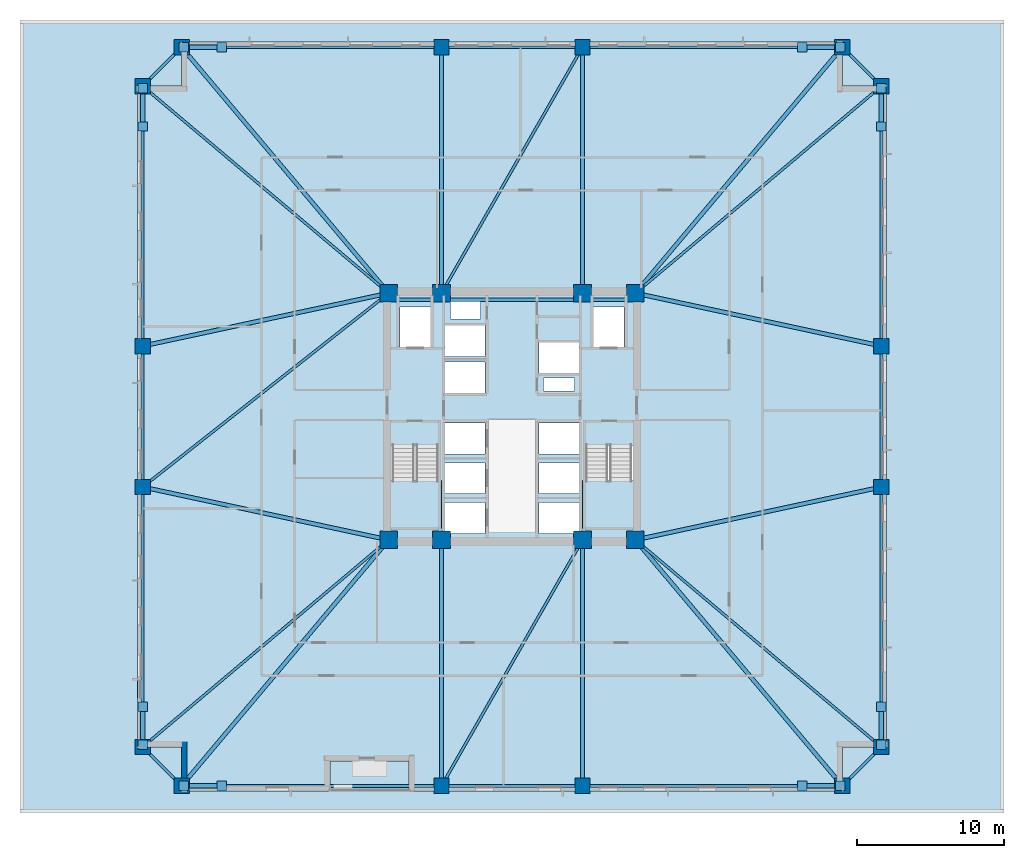
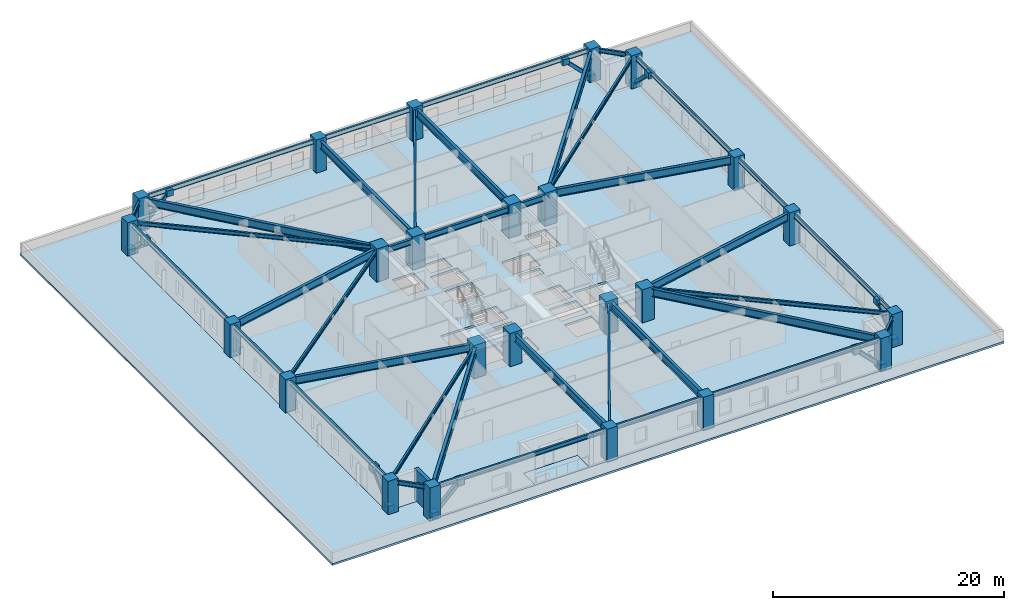
# One storey, part 1 of 12: 38 beams, 24 columns, 16 plates, 8 members, 5 slabs, 1 wall, 2 elements without a shape of their own.
"""IFC4 building model written with IfcOpenShell, lengths in metres."""

from ifc_helpers import new_model, si_unit, direction, frame, frame_2d, origin, origin_2d, place, context, subcontext, project, spatial, polyline, rectangle, hollow_rectangle, i_section, outline, extrude, material, layer, layer_set, material_profile, profile_set, type_object, element, aggregate, save


model = new_model("IFC4")

# Units and contexts
model_context = context("Model", 3, precision=1e-05, world=origin(), true_north=direction((0.0, 1.0)))
body_context = subcontext(model_context, "Body", "Model", "MODEL_VIEW")
ifc_project = project(units=[si_unit("LENGTHUNIT", "METRE"), si_unit("AREAUNIT", "SQUARE_METRE"), si_unit("VOLUMEUNIT", "CUBIC_METRE"), si_unit("PLANEANGLEUNIT", "RADIAN"), si_unit("MASSUNIT", "GRAM", prefix="KILO")], contexts=[model_context])

# Site, building, storey
site_placement = place(None, origin())
site = spatial("IfcSite", under=ifc_project, at=site_placement, CompositionType="ELEMENT")
building_placement = place(site_placement, origin())
building = spatial("IfcBuilding", under=site, at=building_placement, Name="Cairnveth Concourse Tower", CompositionType="ELEMENT")
storey_placement = place(building_placement, frame((0.0, 0.0, 23.5)))
storey = spatial("IfcBuildingStorey", under=building, at=storey_placement, Name="L05", CompositionType="ELEMENT", Elevation=23.5)

# Columns
ifc_material_1 = material(Name="Concrete N80 (80 MPa)", Category="concrete")
ifc_material_profile_1 = material_profile(ifc_material_1, rectangle(XDim=1.199951171875, YDim=1.199951171875, at=origin_2d()), Name="RC-COL-1200x1200")
ifc_profile_set_1 = profile_set([ifc_material_profile_1], Name="Concrete N80 (80 MPa)")
column_type_1 = type_object("IfcColumnType", Name="CORE COLUMN 1200X1200", PredefinedType="COLUMN", material=ifc_profile_set_1)
for number, where, z_axis, x_axis, name in (
    (1, (43.60009765625, 30.60009765625, 0.0), (0.0, 0.0, 1.0), (1.0, 0.0, 0.0), "Column CC1 L05"),
    (2, (47.199951171875, 30.60009765625, 0.0), (0.0, 0.0, 1.0), (1.0, 0.0, 0.0), "Column CC2 L05"),
    (3, (56.800048828125, 30.60009765625, 0.0), (0.0, 0.0, 1.0), (1.0, 0.0, 0.0), "Column CC3 L05"),
    (4, (60.39990234375, 30.60009765625, 0.0), (0.0, 0.0, 1.0), (1.0, 0.0, 0.0), "Column CC4 L05"),
    (5, (43.60009765625, 47.39990234375, 0.0), (0.0, 0.0, 1.0), (1.0, 0.0, 0.0), "Column CC5 L05"),
    (6, (47.199951171875, 47.39990234375, 0.0), (0.0, 0.0, 1.0), (1.0, 0.0, 0.0), "Column CC6 L05"),
    (7, (56.800048828125, 47.39990234375, 0.0), (0.0, 0.0, 1.0), (1.0, 0.0, 0.0), "Column CC7 L05"),
    (8, (60.39990234375, 47.39990234375, 0.0), (0.0, 0.0, 1.0), (1.0, 0.0, 0.0), "Column CC8 L05"),
):
    element("IfcColumn", number, at=place(storey_placement, frame(where, z_axis=z_axis, x_axis=x_axis)), inside=storey, type_object=column_type_1, Name=name, PredefinedType="COLUMN", context=body_context, shape_type="SweptSolid", body=[
        extrude(rectangle(XDim=1.199951171875, YDim=1.199951171875, at=origin_2d()), origin(), (0.0, 0.0, 1.0), 3.5),
    ])
ifc_material_2 = material(Name="Concrete N65 (65 MPa)", Category="concrete")
ifc_material_profile_2 = material_profile(ifc_material_2, rectangle(XDim=1.050048828125, YDim=1.050048828125, at=origin_2d()), Name="RC-COL-1050x1050")
ifc_profile_set_2 = profile_set([ifc_material_profile_2], Name="Concrete N65 (65 MPa)")
column_type_2 = type_object("IfcColumnType", Name="PERIMETER PIER COLUMN 1050X1050", PredefinedType="COLUMN", material=ifc_profile_set_2)
for number, where, z_axis, x_axis, name in (
    (9, (29.5, 13.85009765625, 0.0), (0.0, 0.0, 1.0), (1.0, 0.0, 0.0), "Column P-S1 L05"),
    (10, (47.199951171875, 13.85009765625, 0.0), (0.0, 0.0, 1.0), (1.0, 0.0, 0.0), "Column P-S2 L05"),
    (11, (56.800048828125, 13.85009765625, 0.0), (0.0, 0.0, 1.0), (1.0, 0.0, 0.0), "Column P-S3 L05"),
    (12, (74.5, 13.85009765625, 0.0), (0.0, 0.0, 1.0), (1.0, 0.0, 0.0), "Column P-S4 L05"),
    (13, (77.14990234375, 16.5, 0.0), (0.0, 0.0, 1.0), (0.0, 1.0, 0.0), "Column P-E1 L05"),
    (14, (77.14990234375, 34.199951171875, 0.0), (0.0, 0.0, 1.0), (0.0, 1.0, 0.0), "Column P-E2 L05"),
    (15, (77.14990234375, 43.800048828125, 0.0), (0.0, 0.0, 1.0), (0.0, 1.0, 0.0), "Column P-E3 L05"),
    (16, (77.14990234375, 61.5, 0.0), (0.0, 0.0, 1.0), (0.0, 1.0, 0.0), "Column P-E4 L05"),
    (17, (74.5, 64.14990234375, 0.0), (0.0, 0.0, 1.0), (1.0, 0.0, 0.0), "Column P-N1 L05"),
    (18, (56.800048828125, 64.14990234375, 0.0), (0.0, 0.0, 1.0), (1.0, 0.0, 0.0), "Column P-N2 L05"),
    (19, (47.199951171875, 64.14990234375, 0.0), (0.0, 0.0, 1.0), (1.0, 0.0, 0.0), "Column P-N3 L05"),
    (20, (29.5, 64.14990234375, 0.0), (0.0, 0.0, 1.0), (1.0, 0.0, 0.0), "Column P-N4 L05"),
    (21, (26.85009765625, 61.5, 0.0), (0.0, 0.0, 1.0), (0.0, 1.0, 0.0), "Column P-W1 L05"),
    (22, (26.85009765625, 43.800048828125, 0.0), (0.0, 0.0, 1.0), (0.0, 1.0, 0.0), "Column P-W2 L05"),
    (23, (26.85009765625, 34.199951171875, 0.0), (0.0, 0.0, 1.0), (0.0, 1.0, 0.0), "Column P-W3 L05"),
    (24, (26.85009765625, 16.5, 0.0), (0.0, 0.0, 1.0), (0.0, 1.0, 0.0), "Column P-W4 L05"),
):
    element("IfcColumn", number, at=place(storey_placement, frame(where, z_axis=z_axis, x_axis=x_axis)), inside=storey, type_object=column_type_2, Name=name, PredefinedType="COLUMN", context=body_context, shape_type="SweptSolid", body=[
        extrude(rectangle(XDim=1.050048828125, YDim=1.050048828125, at=origin_2d()), origin(), (0.0, 0.0, 1.0), 3.5),
    ])

# Beams
ifc_material_3 = material(Name="Steel Grade 350", Category="steel")
ifc_material_profile_3 = material_profile(ifc_material_3, i_section(OverallWidth=0.22802734375, OverallDepth=0.60693359375, WebThickness=0.01123046875, FlangeThickness=0.017333984375, FilletRadius=0.013916015625, at=origin_2d()), Name="610UB113")
ifc_profile_set_3 = profile_set([ifc_material_profile_3], Name="Steel Grade 350")
beam_type_1 = type_object("IfcBeamType", Name="CORE TIE BEAM 610UB113", PredefinedType="T_BEAM", material=ifc_profile_set_3)
for number, where, z_axis, x_axis, name in (
    (25, (43.60009765625, 46.949951171875, 2.9765625), (1.0, 0.0, 0.0), (0.0, 1.0, 0.0), "Beam CT-N1 L05"),
    (26, (56.800048828125, 46.949951171875, 2.9765625), (1.0, 0.0, 0.0), (0.0, 1.0, 0.0), "Beam CT-N3 L05"),
):
    element("IfcBeam", number, at=place(storey_placement, frame(where, z_axis=z_axis, x_axis=x_axis)), inside=storey, type_object=beam_type_1, Name=name, PredefinedType="T_BEAM", context=body_context, shape_type="SweptSolid", body=[
        extrude(i_section(OverallWidth=0.22802734375, OverallDepth=0.60693359375, WebThickness=0.01123046875, FlangeThickness=0.017333984375, FilletRadius=0.013916015625, at=origin_2d()), origin(), (0.0, 0.0, 1.0), 3.599853515625),
    ])
beam_1_placement = place(storey_placement, frame((47.199951171875, 46.949951171875, 2.9765625), z_axis=(1.0, 0.0, 0.0), x_axis=(0.0, 1.0, 0.0)))
element("IfcBeam", 27, at=beam_1_placement, inside=storey, type_object=beam_type_1, Name="Beam CT-N2 L05", PredefinedType="T_BEAM", context=body_context, shape_type="SweptSolid", body=[
    extrude(i_section(OverallWidth=0.22802734375, OverallDepth=0.60693359375, WebThickness=0.01123046875, FlangeThickness=0.017333984375, FilletRadius=0.013916015625, at=origin_2d()), origin(), (0.0, 0.0, 1.0), 9.60009765625),
])
ifc_material_profile_4 = material_profile(ifc_material_3, i_section(OverallWidth=0.177978515625, OverallDepth=0.406005859375, WebThickness=0.0078125, FlangeThickness=0.0126953125, FilletRadius=0.010986328125, at=origin_2d()), Name="410UB59.7")
ifc_profile_set_4 = profile_set([ifc_material_profile_4], Name="Steel Grade 350")
beam_type_2 = type_object("IfcBeamType", Name="ZONE 1 FLOOR JOIST 410UB59.7", PredefinedType="JOIST", material=ifc_profile_set_4)
for number, where, z_axis, x_axis, name in (
    (28, (26.85009765625, 16.5, 3.076904296875), (0.765027427674, 0.643997697905, 0.0), (-0.643997697905, 0.765027427674, 0.0), "Beam FJ-CSW2 L05"),
    (29, (77.14990234375, 16.5, 3.076904296875), (-0.765027427674, 0.643997697905, 0.0), (-0.643997697905, -0.765027427674, 0.0), "Beam FJ-CSE2 L05"),
    (30, (77.14990234375, 61.5, 3.076904296875), (-0.765027427674, -0.643997697905, 0.0), (0.643997697905, -0.765027427674, 0.0), "Beam FJ-CNE2 L05"),
    (31, (26.85009765625, 61.5, 3.076904296875), (0.765027427674, -0.643997697905, 0.0), (0.643997697905, 0.765027427674, 0.0), "Beam FJ-CNW2 L05"),
):
    element("IfcBeam", number, at=place(storey_placement, frame(where, z_axis=z_axis, x_axis=x_axis)), inside=storey, type_object=beam_type_2, Name=name, PredefinedType="JOIST", context=body_context, shape_type="SweptSolid", body=[
        extrude(i_section(OverallWidth=0.177978515625, OverallDepth=0.406005859375, WebThickness=0.0078125, FlangeThickness=0.0126953125, FilletRadius=0.010986328125, at=origin_2d()), origin(), (0.0, 0.0, 1.0), 21.89453125),
    ])
for number, where, z_axis, x_axis, name in (
    (32, (47.199951171875, 13.85009765625, 3.076904296875), (0.497257970706, 0.86760273776, 0.0), (-0.86760273776, 0.497257970706, 0.0), "Beam FJ-S-M1 L05"),
    (33, (47.199951171875, 47.39990234375, 3.076904296875), (0.497257970706, 0.86760273776, 0.0), (-0.86760273776, 0.497257970706, 0.0), "Beam FJ-N-M1 L05"),
):
    element("IfcBeam", number, at=place(storey_placement, frame(where, z_axis=z_axis, x_axis=x_axis)), inside=storey, type_object=beam_type_2, Name=name, PredefinedType="JOIST", context=body_context, shape_type="SweptSolid", body=[
        extrude(i_section(OverallWidth=0.177978515625, OverallDepth=0.406005859375, WebThickness=0.0078125, FlangeThickness=0.0126953125, FilletRadius=0.010986328125, at=origin_2d()), origin(), (0.0, 0.0, 1.0), 19.30615234375),
    ])
beam_2_placement = place(storey_placement, frame((26.85009765625, 34.199951171875, 3.076904296875), z_axis=(0.785423705995, 0.618958481694, 0.0), x_axis=(-0.618958481694, 0.785423705995, 0.0)))
element("IfcBeam", 34, at=beam_2_placement, inside=storey, type_object=beam_type_2, Name="Beam FJ-W-M1 L05", PredefinedType="JOIST", context=body_context, shape_type="SweptSolid", body=[
    extrude(i_section(OverallWidth=0.177978515625, OverallDepth=0.406005859375, WebThickness=0.0078125, FlangeThickness=0.0126953125, FilletRadius=0.010986328125, at=origin_2d()), origin(), (0.0, 0.0, 1.0), 21.326171875),
])

# Members
ifc_material_4 = material(Name="Steel C350L0 (350 MPa)", Category="steel")
ifc_material_profile_5 = material_profile(ifc_material_4, hollow_rectangle(XDim=0.35009765625, YDim=0.35009765625, WallThickness=0.01611328125, InnerFilletRadius=0.01611328125, OuterFilletRadius=0.031982421875, at=origin_2d()), Name="350x350x16.0SHS")
ifc_profile_set_5 = profile_set([ifc_material_profile_5], Name="Steel C350L0 (350 MPa)")
member_type = type_object("IfcMemberType", Name="ZONE 1 PIER BRACE 350X350X16SHS", PredefinedType="BRACE", material=ifc_profile_set_5)
for number, where, z_axis, x_axis, name in (
    (35, (29.64990234375, 13.85009765625, 0.25), (0.709834195787, 0.0, 0.704368805735), (0.0, 1.0, 0.0), "Structural Brace PB-S1 L05"),
    (36, (74.35009765625, 13.85009765625, 0.25), (-0.709834195787, 0.0, 0.704368805735), (0.0, -1.0, 0.0), "Structural Brace PB-S2 L05"),
    (37, (29.64990234375, 64.14990234375, 0.25), (0.709834195787, 0.0, 0.704368805735), (0.0, 1.0, 0.0), "Structural Brace PB-N1 L05"),
    (38, (74.35009765625, 64.14990234375, 0.25), (-0.709834195787, 0.0, 0.704368805735), (0.0, -1.0, 0.0), "Structural Brace PB-N2 L05"),
    (39, (26.85009765625, 16.64990234375, 0.25), (0.0, 0.709834195787, 0.704368805735), (-1.0, 0.0, 0.0), "Structural Brace PB-W1 L05"),
    (40, (26.85009765625, 61.35009765625, 0.25), (0.0, -0.709834195787, 0.704368805735), (1.0, 0.0, 0.0), "Structural Brace PB-W2 L05"),
    (41, (77.14990234375, 16.64990234375, 0.25), (0.0, 0.709834195787, 0.704368805735), (-1.0, 0.0, 0.0), "Structural Brace PB-E1 L05"),
    (42, (77.14990234375, 61.35009765625, 0.25), (0.0, -0.709834195787, 0.704368805735), (1.0, 0.0, 0.0), "Structural Brace PB-E2 L05"),
):
    element("IfcMember", number, at=place(storey_placement, frame(where, z_axis=z_axis, x_axis=x_axis)), inside=storey, type_object=member_type, Name=name, PredefinedType="BRACE", context=body_context, shape_type="SweptSolid", body=[
        extrude(hollow_rectangle(XDim=0.35009765625, YDim=0.35009765625, WallThickness=0.01611328125, InnerFilletRadius=0.01611328125, OuterFilletRadius=0.031982421875, at=origin_2d()), origin(), (0.0, 0.0, 1.0), 3.6630859375),
    ])

# Beams
ifc_material_profile_6 = material_profile(ifc_material_3, i_section(OverallWidth=0.27490234375, OverallDepth=0.81591796875, WebThickness=0.011962890625, FlangeThickness=0.028076171875, at=origin_2d()), Name="800WB192")
ifc_profile_set_6 = profile_set([ifc_material_profile_6], Name="Steel Grade 350")
beam_type_3 = type_object("IfcBeamType", Name="ZONE 1 RADIAL GIRDER 800WB192", PredefinedType="BEAM", material=ifc_profile_set_6)
for number, where, z_axis, x_axis, name in (
    (43, (47.199951171875, 13.85009765625, 2.8720703125), (0.0, 1.0, 0.0), (-1.0, 0.0, 0.0), "Beam RG-S1 L05"),
    (44, (56.800048828125, 13.85009765625, 2.8720703125), (0.0, 1.0, 0.0), (-1.0, 0.0, 0.0), "Beam RG-S2 L05"),
    (45, (47.199951171875, 47.39990234375, 2.8720703125), (0.0, 1.0, 0.0), (-1.0, 0.0, 0.0), "Beam RG-N1 L05"),
    (46, (56.800048828125, 47.39990234375, 2.8720703125), (0.0, 1.0, 0.0), (-1.0, 0.0, 0.0), "Beam RG-N2 L05"),
):
    element("IfcBeam", number, at=place(storey_placement, frame(where, z_axis=z_axis, x_axis=x_axis)), inside=storey, type_object=beam_type_3, Name=name, PredefinedType="BEAM", context=body_context, shape_type="SweptSolid", body=[
        extrude(i_section(OverallWidth=0.27490234375, OverallDepth=0.81591796875, WebThickness=0.011962890625, FlangeThickness=0.028076171875, at=origin_2d()), origin(), (0.0, 0.0, 1.0), 16.75),
    ])
for number, where, z_axis, x_axis, name in (
    (47, (26.85009765625, 34.199951171875, 2.8720703125), (0.977675861524, -0.210118799239, 0.0), (0.210118799239, 0.977675861524, 0.0), "Beam RG-W1 L05"),
    (48, (26.85009765625, 43.800048828125, 2.8720703125), (0.977675861524, 0.210118799239, 0.0), (-0.210118799239, 0.977675861524, 0.0), "Beam RG-W2 L05"),
    (49, (60.39990234375, 30.60009765625, 2.8720703125), (0.977675861524, 0.210118799239, 0.0), (-0.210118799239, 0.977675861524, 0.0), "Beam RG-E1 L05"),
    (50, (60.39990234375, 47.39990234375, 2.8720703125), (0.977675861524, -0.210118799239, 0.0), (0.210118799239, 0.977675861524, 0.0), "Beam RG-E2 L05"),
):
    element("IfcBeam", number, at=place(storey_placement, frame(where, z_axis=z_axis, x_axis=x_axis)), inside=storey, type_object=beam_type_3, Name=name, PredefinedType="BEAM", context=body_context, shape_type="SweptSolid", body=[
        extrude(i_section(OverallWidth=0.27490234375, OverallDepth=0.81591796875, WebThickness=0.011962890625, FlangeThickness=0.028076171875, at=origin_2d()), origin(), (0.0, 0.0, 1.0), 17.132568359375),
    ])
for number, where, z_axis, x_axis, name in (
    (51, (29.5, 13.85009765625, 2.8720703125), (0.643997697905, 0.765027427674, 0.0), (-0.765027427674, 0.643997697905, 0.0), "Beam RG-CSW L05"),
    (52, (74.5, 13.85009765625, 2.8720703125), (-0.643997697905, 0.765027427674, 0.0), (-0.765027427674, -0.643997697905, 0.0), "Beam RG-CSE L05"),
    (53, (74.5, 64.14990234375, 2.8720703125), (-0.643997697905, -0.765027427674, 0.0), (0.765027427674, -0.643997697905, 0.0), "Beam RG-CNE L05"),
    (54, (29.5, 64.14990234375, 2.8720703125), (0.643997697905, -0.765027427674, 0.0), (0.765027427674, 0.643997697905, 0.0), "Beam RG-CNW L05"),
):
    element("IfcBeam", number, at=place(storey_placement, frame(where, z_axis=z_axis, x_axis=x_axis)), inside=storey, type_object=beam_type_3, Name=name, PredefinedType="BEAM", context=body_context, shape_type="SweptSolid", body=[
        extrude(i_section(OverallWidth=0.27490234375, OverallDepth=0.81591796875, WebThickness=0.011962890625, FlangeThickness=0.028076171875, at=origin_2d()), origin(), (0.0, 0.0, 1.0), 21.89453125),
    ])
ifc_material_profile_7 = material_profile(ifc_material_3, i_section(OverallWidth=0.19091796875, OverallDepth=0.4599609375, WebThickness=0.010009765625, FlangeThickness=0.01611328125, FilletRadius=0.010986328125, at=origin_2d()), Name="460UB82.1")
ifc_profile_set_7 = profile_set([ifc_material_profile_7], Name="Steel Grade 350")
beam_type_4 = type_object("IfcBeamType", Name="ZONE 1 SPANDREL BEAM 460UB82.1", PredefinedType="SPANDREL", material=ifc_profile_set_7)
beam_3_placement = place(storey_placement, frame((29.5, 13.85009765625, 3.050048828125), z_axis=(1.0, 0.0, 0.0), x_axis=(0.0, 1.0, 0.0)))
element("IfcBeam", 55, at=beam_3_placement, inside=storey, type_object=beam_type_4, Name="Beam SP-S1 L05", PredefinedType="SPANDREL", context=body_context, shape_type="SweptSolid", body=[
    extrude(i_section(OverallWidth=0.19091796875, OverallDepth=0.4599609375, WebThickness=0.010009765625, FlangeThickness=0.01611328125, FilletRadius=0.010986328125, at=origin_2d()), origin(), (0.0, 0.0, 1.0), 17.699951171875),
])
beam_4_placement = place(storey_placement, frame((47.199951171875, 13.85009765625, 3.050048828125), z_axis=(1.0, 0.0, 0.0), x_axis=(0.0, 1.0, 0.0)))
element("IfcBeam", 56, at=beam_4_placement, inside=storey, type_object=beam_type_4, Name="Beam SP-S2 L05", PredefinedType="SPANDREL", context=body_context, shape_type="SweptSolid", body=[
    extrude(i_section(OverallWidth=0.19091796875, OverallDepth=0.4599609375, WebThickness=0.010009765625, FlangeThickness=0.01611328125, FilletRadius=0.010986328125, at=origin_2d()), origin(), (0.0, 0.0, 1.0), 9.60009765625),
])
for number, where, z_axis, x_axis, name in (
    (57, (56.800048828125, 13.85009765625, 3.050048828125), (1.0, 0.0, 0.0), (0.0, 1.0, 0.0), "Beam SP-S3 L05"),
    (58, (29.5, 64.14990234375, 3.050048828125), (1.0, 0.0, 0.0), (0.0, 1.0, 0.0), "Beam SP-N1 L05"),
):
    element("IfcBeam", number, at=place(storey_placement, frame(where, z_axis=z_axis, x_axis=x_axis)), inside=storey, type_object=beam_type_4, Name=name, PredefinedType="SPANDREL", context=body_context, shape_type="SweptSolid", body=[
        extrude(i_section(OverallWidth=0.19091796875, OverallDepth=0.4599609375, WebThickness=0.010009765625, FlangeThickness=0.01611328125, FilletRadius=0.010986328125, at=origin_2d()), origin(), (0.0, 0.0, 1.0), 17.699951171875),
    ])
beam_5_placement = place(storey_placement, frame((47.199951171875, 64.14990234375, 3.050048828125), z_axis=(1.0, 0.0, 0.0), x_axis=(0.0, 1.0, 0.0)))
element("IfcBeam", 59, at=beam_5_placement, inside=storey, type_object=beam_type_4, Name="Beam SP-N2 L05", PredefinedType="SPANDREL", context=body_context, shape_type="SweptSolid", body=[
    extrude(i_section(OverallWidth=0.19091796875, OverallDepth=0.4599609375, WebThickness=0.010009765625, FlangeThickness=0.01611328125, FilletRadius=0.010986328125, at=origin_2d()), origin(), (0.0, 0.0, 1.0), 9.60009765625),
])
for number, where, z_axis, x_axis, name in (
    (60, (56.800048828125, 64.14990234375, 3.050048828125), (1.0, 0.0, 0.0), (0.0, 1.0, 0.0), "Beam SP-N3 L05"),
    (61, (26.85009765625, 16.5, 3.050048828125), (0.0, 1.0, 0.0), (-1.0, 0.0, 0.0), "Beam SP-W1 L05"),
):
    element("IfcBeam", number, at=place(storey_placement, frame(where, z_axis=z_axis, x_axis=x_axis)), inside=storey, type_object=beam_type_4, Name=name, PredefinedType="SPANDREL", context=body_context, shape_type="SweptSolid", body=[
        extrude(i_section(OverallWidth=0.19091796875, OverallDepth=0.4599609375, WebThickness=0.010009765625, FlangeThickness=0.01611328125, FilletRadius=0.010986328125, at=origin_2d()), origin(), (0.0, 0.0, 1.0), 17.699951171875),
    ])
beam_6_placement = place(storey_placement, frame((26.85009765625, 34.199951171875, 3.050048828125), z_axis=(0.0, 1.0, 0.0), x_axis=(-1.0, 0.0, 0.0)))
element("IfcBeam", 62, at=beam_6_placement, inside=storey, type_object=beam_type_4, Name="Beam SP-W2 L05", PredefinedType="SPANDREL", context=body_context, shape_type="SweptSolid", body=[
    extrude(i_section(OverallWidth=0.19091796875, OverallDepth=0.4599609375, WebThickness=0.010009765625, FlangeThickness=0.01611328125, FilletRadius=0.010986328125, at=origin_2d()), origin(), (0.0, 0.0, 1.0), 9.60009765625),
])
for number, where, z_axis, x_axis, name in (
    (63, (26.85009765625, 43.800048828125, 3.050048828125), (0.0, 1.0, 0.0), (-1.0, 0.0, 0.0), "Beam SP-W3 L05"),
    (64, (77.14990234375, 16.5, 3.050048828125), (0.0, 1.0, 0.0), (-1.0, 0.0, 0.0), "Beam SP-E1 L05"),
):
    element("IfcBeam", number, at=place(storey_placement, frame(where, z_axis=z_axis, x_axis=x_axis)), inside=storey, type_object=beam_type_4, Name=name, PredefinedType="SPANDREL", context=body_context, shape_type="SweptSolid", body=[
        extrude(i_section(OverallWidth=0.19091796875, OverallDepth=0.4599609375, WebThickness=0.010009765625, FlangeThickness=0.01611328125, FilletRadius=0.010986328125, at=origin_2d()), origin(), (0.0, 0.0, 1.0), 17.699951171875),
    ])
beam_7_placement = place(storey_placement, frame((77.14990234375, 34.199951171875, 3.050048828125), z_axis=(0.0, 1.0, 0.0), x_axis=(-1.0, 0.0, 0.0)))
element("IfcBeam", 65, at=beam_7_placement, inside=storey, type_object=beam_type_4, Name="Beam SP-E2 L05", PredefinedType="SPANDREL", context=body_context, shape_type="SweptSolid", body=[
    extrude(i_section(OverallWidth=0.19091796875, OverallDepth=0.4599609375, WebThickness=0.010009765625, FlangeThickness=0.01611328125, FilletRadius=0.010986328125, at=origin_2d()), origin(), (0.0, 0.0, 1.0), 9.60009765625),
])
beam_8_placement = place(storey_placement, frame((77.14990234375, 43.800048828125, 3.050048828125), z_axis=(0.0, 1.0, 0.0), x_axis=(-1.0, 0.0, 0.0)))
element("IfcBeam", 66, at=beam_8_placement, inside=storey, type_object=beam_type_4, Name="Beam SP-E3 L05", PredefinedType="SPANDREL", context=body_context, shape_type="SweptSolid", body=[
    extrude(i_section(OverallWidth=0.19091796875, OverallDepth=0.4599609375, WebThickness=0.010009765625, FlangeThickness=0.01611328125, FilletRadius=0.010986328125, at=origin_2d()), origin(), (0.0, 0.0, 1.0), 17.699951171875),
])
for number, where, z_axis, x_axis, name in (
    (67, (26.85009765625, 16.5, 3.050048828125), (0.707106781187, -0.707106781187, 0.0), (0.707106781187, 0.707106781187, 0.0), "Beam SP-SW L05"),
    (68, (74.5, 13.85009765625, 3.050048828125), (0.707106781187, 0.707106781187, 0.0), (-0.707106781187, 0.707106781187, 0.0), "Beam SP-SE L05"),
    (69, (74.5, 64.14990234375, 3.050048828125), (0.707106781187, -0.707106781187, 0.0), (0.707106781187, 0.707106781187, 0.0), "Beam SP-NE L05"),
    (70, (26.85009765625, 61.5, 3.050048828125), (0.707106781187, 0.707106781187, 0.0), (-0.707106781187, 0.707106781187, 0.0), "Beam SP-NW L05"),
):
    element("IfcBeam", number, at=place(storey_placement, frame(where, z_axis=z_axis, x_axis=x_axis)), inside=storey, type_object=beam_type_4, Name=name, PredefinedType="SPANDREL", context=body_context, shape_type="SweptSolid", body=[
        extrude(i_section(OverallWidth=0.19091796875, OverallDepth=0.4599609375, WebThickness=0.010009765625, FlangeThickness=0.01611328125, FilletRadius=0.010986328125, at=origin_2d()), origin(), (0.0, 0.0, 1.0), 3.74755859375),
    ])

# Slab
ifc_material_5 = material(Name="Concrete N50 (50 MPa)", Category="concrete")
ifc_layer_1 = layer(ifc_material_5, 0.219970703125)
ifc_layer_set_1 = layer_set([ifc_layer_1], Name="Concrete N50 (50 MPa)")
slab_type_1 = type_object("IfcSlabType", Name="LOWER TOWER COMPOSITE SLAB 220", PredefinedType="FLOOR", material=ifc_layer_set_1)
slab_1_placement = place(storey_placement, frame((0.0, 0.0, -0.219970703125)))
element("IfcSlab", 71, at=slab_1_placement, inside=storey, type_object=slab_type_1, Name="Tower Floor Slab L05", PredefinedType="FLOOR", context=body_context, shape_type="SweptSolid", body=[
    extrude(outline(polyline([(39.60009765625, 13.5), (39.60009765625, 15.550048828125), (45.0, 15.550048828125), (45.0, 13.5), (74.5, 13.5), (74.5, 16.5), (77.5, 16.5), (77.5, 61.5), (74.5, 61.5), (74.5, 64.5), (29.5, 64.5), (29.5, 61.5), (26.5, 61.5), (26.5, 16.5), (29.5, 16.5), (29.5, 13.5), (39.60009765625, 13.5)]), holes=[polyline([(43.760009765625, 31.360107421875), (47.06005859375, 31.360107421875), (47.06005859375, 37.0400390625), (43.760009765625, 37.0400390625), (43.760009765625, 31.360107421875)]), polyline([(56.93994140625, 31.360107421875), (60.239990234375, 31.360107421875), (60.239990234375, 37.0400390625), (56.93994140625, 37.0400390625), (56.93994140625, 31.360107421875)]), polyline([(44.3701171875, 43.75), (46.469970703125, 43.75), (46.469970703125, 46.449951171875), (44.3701171875, 46.449951171875), (44.3701171875, 43.75)]), polyline([(57.530029296875, 43.75), (59.6298828125, 43.75), (59.6298828125, 46.449951171875), (57.530029296875, 46.449951171875), (57.530029296875, 43.75)]), polyline([(47.449951171875, 31.050048828125), (50.14990234375, 31.050048828125), (50.14990234375, 33.14990234375), (47.449951171875, 33.14990234375), (47.449951171875, 31.050048828125)]), polyline([(47.449951171875, 33.75), (50.14990234375, 33.75), (50.14990234375, 35.85009765625), (47.449951171875, 35.85009765625), (47.449951171875, 33.75)]), polyline([(47.449951171875, 36.449951171875), (50.14990234375, 36.449951171875), (50.14990234375, 38.550048828125), (47.449951171875, 38.550048828125), (47.449951171875, 36.449951171875)]), polyline([(53.85009765625, 31.050048828125), (56.550048828125, 31.050048828125), (56.550048828125, 33.14990234375), (53.85009765625, 33.14990234375), (53.85009765625, 31.050048828125)]), polyline([(53.85009765625, 33.75), (56.550048828125, 33.75), (56.550048828125, 35.85009765625), (53.85009765625, 35.85009765625), (53.85009765625, 33.75)]), polyline([(53.85009765625, 36.449951171875), (56.550048828125, 36.449951171875), (56.550048828125, 38.550048828125), (53.85009765625, 38.550048828125), (53.85009765625, 36.449951171875)]), polyline([(47.449951171875, 40.60009765625), (50.14990234375, 40.60009765625), (50.14990234375, 42.699951171875), (47.449951171875, 42.699951171875), (47.449951171875, 40.60009765625)]), polyline([(47.449951171875, 43.10009765625), (50.14990234375, 43.10009765625), (50.14990234375, 45.199951171875), (47.449951171875, 45.199951171875), (47.449951171875, 43.10009765625)]), polyline([(53.85009765625, 41.949951171875), (56.550048828125, 41.949951171875), (56.550048828125, 44.050048828125), (53.85009765625, 44.050048828125), (53.85009765625, 41.949951171875)]), polyline([(47.800048828125, 45.64990234375), (49.85009765625, 45.64990234375), (49.85009765625, 47.050048828125), (47.800048828125, 47.050048828125), (47.800048828125, 45.64990234375)]), polyline([(54.14990234375, 40.75), (56.25, 40.75), (56.25, 41.6201171875), (54.14990234375, 41.6201171875), (54.14990234375, 40.75)])]), origin(), (0.0, 0.0, 1.0), 0.219970703125),
])

# Plates
ifc_layer_2 = layer(ifc_material_3, 0.031982421875)
ifc_layer_set_2 = layer_set([ifc_layer_2], Name="Steel Grade 350")
plate_type = type_object("IfcPlateType", Name="PERIMETER BRACE GUSSET PLATE 32", PredefinedType="USERDEFINED", material=ifc_layer_set_2)
for number, where, z_axis, x_axis, name in (
    (72, (29.64990234375, 13.85009765625, -0.06982421875), (0.0, 0.0, 1.0), (1.0, 0.0, 0.0), "Structural Node Plate 0061 L05"),
    (73, (32.25, 13.85009765625, 2.51025390625), (0.0, 0.0, 1.0), (1.0, 0.0, 0.0), "Structural Node Plate 0062 L05"),
    (74, (74.35009765625, 13.85009765625, -0.06982421875), (0.0, 0.0, 1.0), (1.0, 0.0, 0.0), "Structural Node Plate 0063 L05"),
    (75, (71.75, 13.85009765625, 2.51025390625), (0.0, 0.0, 1.0), (1.0, 0.0, 0.0), "Structural Node Plate 0064 L05"),
    (76, (29.64990234375, 64.14990234375, -0.06982421875), (0.0, 0.0, 1.0), (1.0, 0.0, 0.0), "Structural Node Plate 0065 L05"),
    (77, (32.25, 64.14990234375, 2.51025390625), (0.0, 0.0, 1.0), (1.0, 0.0, 0.0), "Structural Node Plate 0066 L05"),
    (78, (74.35009765625, 64.14990234375, -0.06982421875), (0.0, 0.0, 1.0), (1.0, 0.0, 0.0), "Structural Node Plate 0067 L05"),
    (79, (71.75, 64.14990234375, 2.51025390625), (0.0, 0.0, 1.0), (1.0, 0.0, 0.0), "Structural Node Plate 0068 L05"),
    (80, (26.85009765625, 16.64990234375, -0.06982421875), (0.0, 0.0, 1.0), (1.0, 0.0, 0.0), "Structural Node Plate 0069 L05"),
    (81, (26.85009765625, 19.25, 2.51025390625), (0.0, 0.0, 1.0), (1.0, 0.0, 0.0), "Structural Node Plate 0070 L05"),
    (82, (26.85009765625, 61.35009765625, -0.06982421875), (0.0, 0.0, 1.0), (1.0, 0.0, 0.0), "Structural Node Plate 0071 L05"),
    (83, (26.85009765625, 58.75, 2.51025390625), (0.0, 0.0, 1.0), (1.0, 0.0, 0.0), "Structural Node Plate 0072 L05"),
    (84, (77.14990234375, 16.64990234375, -0.06982421875), (0.0, 0.0, 1.0), (1.0, 0.0, 0.0), "Structural Node Plate 0073 L05"),
    (85, (77.14990234375, 19.25, 2.51025390625), (0.0, 0.0, 1.0), (1.0, 0.0, 0.0), "Structural Node Plate 0074 L05"),
    (86, (77.14990234375, 61.35009765625, -0.06982421875), (0.0, 0.0, 1.0), (1.0, 0.0, 0.0), "Structural Node Plate 0075 L05"),
    (87, (77.14990234375, 58.75, 2.51025390625), (0.0, 0.0, 1.0), (1.0, 0.0, 0.0), "Structural Node Plate 0076 L05"),
):
    element("IfcPlate", number, at=place(storey_placement, frame(where, z_axis=z_axis, x_axis=x_axis)), inside=storey, type_object=plate_type, Name=name, ObjectType="GUSSET PLATE", PredefinedType="USERDEFINED", context=body_context, shape_type="SweptSolid", body=[
        extrude(rectangle(XDim=0.639892578125, YDim=0.639892578125, at=origin_2d()), origin(), (0.0, 0.0, 1.0), 0.639892578125),
    ])

# Slabs
ifc_layer_3 = layer(ifc_material_5, 0.205078125)
ifc_layer_set_3 = layer_set([ifc_layer_3], Name="Concrete N50 (50 MPa)")
slab_type_2 = type_object("IfcSlabType", Name="SETBACK MAINTENANCE ROOF SLAB 205", PredefinedType="ROOF", material=ifc_layer_set_3)
slab_2_placement = place(storey_placement, frame((0.0, 0.0, -0.205078125)))
element("IfcSlab", 88, at=slab_2_placement, inside=storey, type_object=slab_type_2, Name="Setback Maintenance Roof Slab L05", PredefinedType="ROOF", context=body_context, shape_type="SweptSolid", body=[
    extrude(outline(polyline([(18.5, 12.0), (85.5, 12.0), (85.5, 66.0), (18.5, 66.0), (18.5, 12.0)]), holes=[polyline([(29.5, 13.5), (74.5, 13.5), (74.5, 16.5), (77.5, 16.5), (77.5, 61.5), (74.5, 61.5), (74.5, 64.5), (29.5, 64.5), (29.5, 61.5), (26.5, 61.5), (26.5, 16.5), (29.5, 16.5), (29.5, 13.5)])]), origin(), (0.0, 0.0, 1.0), 0.205078125),
])
ifc_layer_4 = layer(ifc_material_5, 0.18994140625)
ifc_layer_set_4 = layer_set([ifc_layer_4], Name="Concrete N50 (50 MPa)")
slab_type_3 = type_object("IfcSlabType", Name="SPIRAL OUTDOOR TERRACE SLAB 190", PredefinedType="FLOOR", material=ifc_layer_set_4)
slab_3_placement = place(storey_placement, frame((0.0, 0.0, -0.18994140625)))
element("IfcSlab", 89, at=slab_3_placement, inside=storey, type_object=slab_type_3, Name="Spiral Terrace Slab L05", PredefinedType="FLOOR", context=body_context, shape_type="SweptSolid", body=[
    extrude(outline(polyline([(39.60009765625, 13.5), (45.0, 13.5), (45.0, 15.550048828125), (39.60009765625, 15.550048828125), (39.60009765625, 13.5)])), origin(), (0.0, 0.0, 1.0), 0.18994140625),
])

# Stair, slab
ifc_material_6 = material(Name="Precast concrete N50 (50 MPa)", Category="concrete")
stair_type = type_object("IfcStairType", Name="CORE DOG-LEG FIRE STAIR 1500", PredefinedType="HALF_TURN_STAIR", material=ifc_material_6)
stair_1_placement = place(storey_placement, origin())
stair_1 = element("IfcStair", 90, at=stair_1_placement, inside=storey, type_object=stair_type, Name="L05 Fire-Isolated Stair ST-1", PredefinedType="HALF_TURN_STAIR")
ifc_layer_5 = layer(ifc_material_5, 0.199951171875)
ifc_layer_set_5 = layer_set([ifc_layer_5], Name="Concrete N50 (50 MPa)")
slab_type_4 = type_object("IfcSlabType", Name="STAIR HALF LANDING SLAB 200", PredefinedType="LANDING", material=ifc_layer_set_5)
slab_4_placement = place(storey_placement, frame((0.0, 0.0, 1.550048828125)))
slab_4 = element("IfcSlab", 91, at=slab_4_placement, type_object=slab_type_4, Name="ST-1 landing 1", PredefinedType="LANDING", context=body_context, shape_type="SweptSolid", body=[
    extrude(outline(polyline([(43.6201171875, 34.639892578125), (43.6201171875, 31.3701171875), (47.199951171875, 31.3701171875), (47.199951171875, 34.639892578125), (43.6201171875, 34.639892578125)])), origin(), (0.0, 0.0, 1.0), 0.199951171875),
])
aggregate(stair_1, [slab_4])

stair_2_placement = place(storey_placement, origin())
stair_2 = element("IfcStair", 92, at=stair_2_placement, inside=storey, type_object=stair_type, Name="L05 Fire-Isolated Stair ST-2", PredefinedType="HALF_TURN_STAIR")
slab_5_placement = place(storey_placement, frame((0.0, 0.0, 1.550048828125)))
slab_5 = element("IfcSlab", 93, at=slab_5_placement, type_object=slab_type_4, Name="ST-2 landing 1", PredefinedType="LANDING", context=body_context, shape_type="SweptSolid", body=[
    extrude(outline(polyline([(56.800048828125, 34.639892578125), (56.800048828125, 31.3701171875), (60.3798828125, 31.3701171875), (60.3798828125, 34.639892578125), (56.800048828125, 34.639892578125)])), origin(), (0.0, 0.0, 1.0), 0.199951171875),
])
aggregate(stair_2, [slab_5])

# Wall
ifc_material_7 = material(Name="Hawthorn Red-Ochre Fired Clay Brick Masonry", Category="masonry")
ifc_layer_6 = layer(ifc_material_7, 0.360107421875)
ifc_layer_set_6 = layer_set([ifc_layer_6], Name="Hawthorn Red-Ochre Fired Clay Brick Masonry")
wall_type = type_object("IfcWallType", Name="ZONE 1 BRICK PIER SPANDREL WALL 360", PredefinedType="SOLIDWALL", material=ifc_layer_set_6)
wall_placement = place(storey_placement, frame((29.679931640625, 13.5, 0.0), z_axis=(0.0, 0.0, 1.0), x_axis=(0.0, 1.0, 0.0)))
element("IfcWall", 94, at=wall_placement, inside=storey, type_object=wall_type, Name="Exterior Wall EW-L05-S01", PredefinedType="SOLIDWALL", context=body_context, shape_type="SweptSolid", body=[
    extrude(rectangle(XDim=3.360107421875, YDim=0.360107421875, at=frame_2d((1.68017578125, 0.0))), origin(), (0.0, 0.0, 1.0), 3.280029296875),
])

save(model, "model.ifc")
